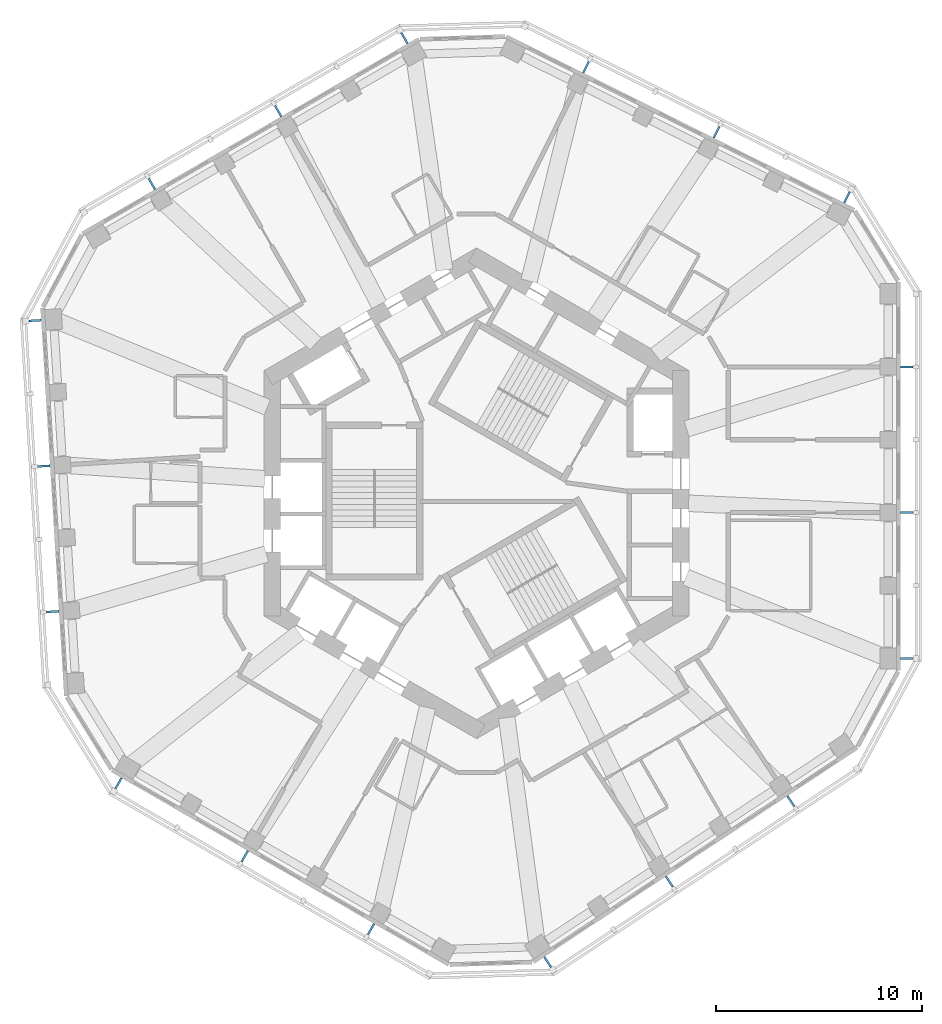
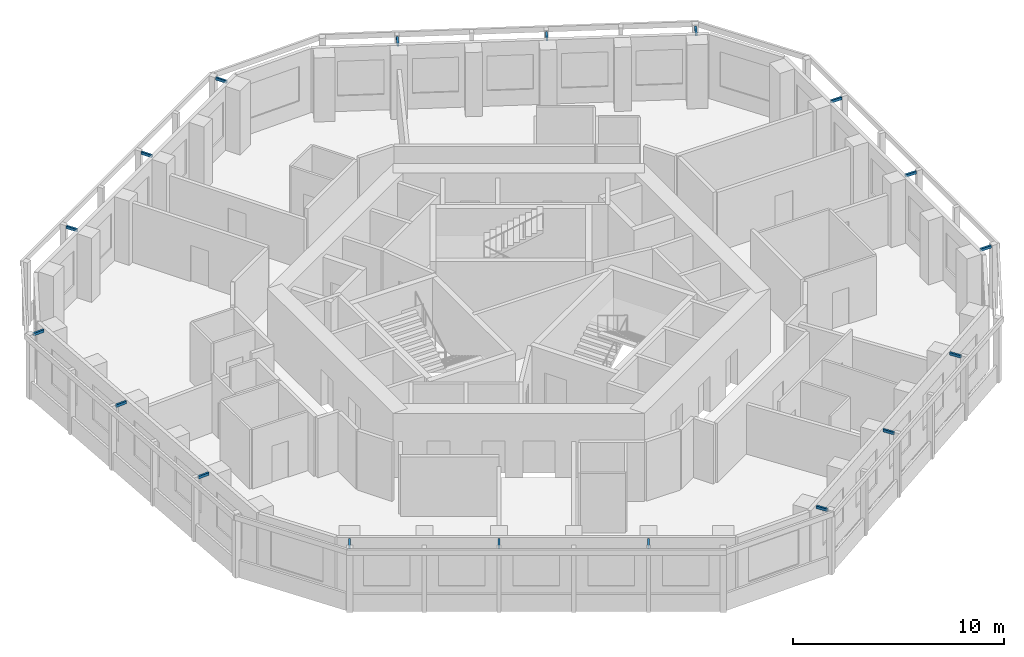
# One storey, part 10 of 11: 18 discrete accessories.
"""IFC4 building model written with IfcOpenShell, lengths in metres."""

from ifc_helpers import new_model, si_unit, direction, frame, origin, origin_2d, place, context, subcontext, project, spatial, rectangle, extrude, material, type_object, element, save


model = new_model("IFC4")

# Units and contexts
model_context = context("Model", 3, precision=1e-05, world=origin(), true_north=direction((0.0, 1.0)))
body_context = subcontext(model_context, "Body", "Model", "MODEL_VIEW")
ifc_project = project(units=[si_unit("LENGTHUNIT", "METRE"), si_unit("AREAUNIT", "SQUARE_METRE"), si_unit("VOLUMEUNIT", "CUBIC_METRE"), si_unit("PLANEANGLEUNIT", "RADIAN"), si_unit("MASSUNIT", "GRAM", prefix="KILO")], contexts=[model_context])

# Site, building, storey
site_placement = place(None, origin())
site = spatial("IfcSite", under=ifc_project, at=site_placement, CompositionType="ELEMENT")
building_placement = place(site_placement, origin())
building = spatial("IfcBuilding", under=site, at=building_placement, Name="Vanh Sen Convention Tower", CompositionType="ELEMENT")
storey_placement = place(building_placement, frame((0.0, 0.0, 243.89990234375)))
storey = spatial("IfcBuildingStorey", under=building, at=storey_placement, Name="L60", CompositionType="ELEMENT", Elevation=243.89990234375)

# Discrete accessories
ifc_material = material(Name="Steel S355", Category="steel")
discrete_accessory_type = type_object("IfcDiscreteAccessoryType", Name="Fin bracket 100 x 150", PredefinedType="BRACKET", material=ifc_material)
for number, where, z_axis, x_axis, name in (
    (1, (20.85009765625, -8.002685546875, 3.500244140625), (0.0, 0.0, 1.0), (1.0, 0.0, 0.0), "Fin bracket E-1 L60"),
    (2, (20.85009765625, -0.935546875, 3.500244140625), (0.0, 0.0, 1.0), (1.0, 0.0, 0.0), "Fin bracket E-3 L60"),
    (3, (20.85009765625, 6.131591796875, 3.500244140625), (0.0, 0.0, 1.0), (1.0, 0.0, 0.0), "Fin bracket E-5 L60"),
    (4, (17.953125, 14.3466796875, 3.500244140625), (0.0, 0.0, 1.0), (0.44619781311, 0.894934361602, 0.0), "Fin bracket NE-1 L60"),
    (5, (11.62841796875, 17.5, 3.500244140625), (0.0, 0.0, 1.0), (0.44619781311, 0.894934361602, 0.0), "Fin bracket NE-3 L60"),
    (6, (5.3037109375, 20.653564453125, 3.500244140625), (0.0, 0.0, 1.0), (0.44619781311, 0.894934361602, 0.0), "Fin bracket NE-5 L60"),
    (7, (-3.494384765625, 22.05810546875, 3.500244140625), (0.0, 0.0, 1.0), (-0.5, 0.866025403784, 0.0), "Fin bracket NW-1 L60"),
    (8, (-9.61474609375, 18.5244140625, 3.500244140625), (0.0, 0.0, 1.0), (-0.5, 0.866025403784, 0.0), "Fin bracket NW-3 L60"),
    (9, (-15.735107421875, 14.99072265625, 3.500244140625), (0.0, 0.0, 1.0), (-0.5, 0.866025403784, 0.0), "Fin bracket NW-5 L60"),
    (10, (-21.401123046875, 8.37451171875, 3.500244140625), (0.0, 0.0, 1.0), (-0.998134798422, -0.061048539535, 0.0), "Fin bracket W-1 L60"),
    (11, (-20.9697265625, 1.3203125, 3.500244140625), (0.0, 0.0, 1.0), (-0.998134798422, -0.061048539535, 0.0), "Fin bracket W-3 L60"),
    (12, (-20.538330078125, -5.733642578125, 3.500244140625), (0.0, 0.0, 1.0), (-0.998134798422, -0.061048539535, 0.0), "Fin bracket W-5 L60"),
    (13, (-17.355712890625, -14.05517578125, 3.500244140625), (0.0, 0.0, 1.0), (-0.5, -0.866025403784, 0.0), "Fin bracket SW-1 L60"),
    (14, (-11.235107421875, -17.5888671875, 3.500244140625), (0.0, 0.0, 1.0), (-0.5, -0.866025403784, 0.0), "Fin bracket SW-3 L60"),
    (15, (-5.11474609375, -21.12255859375, 3.500244140625), (0.0, 0.0, 1.0), (-0.5, -0.866025403784, 0.0), "Fin bracket SW-5 L60"),
    (16, (3.447998046875, -22.72119140625, 3.500244140625), (0.0, 0.0, 1.0), (0.551936985312, -0.833885822067, 0.0), "Fin bracket SE-1 L60"),
    (17, (9.34130859375, -18.820556640625, 3.500244140625), (0.0, 0.0, 1.0), (0.551936985312, -0.833885822067, 0.0), "Fin bracket SE-3 L60"),
    (18, (15.234619140625, -14.919921875, 3.500244140625), (0.0, 0.0, 1.0), (0.551936985312, -0.833885822067, 0.0), "Fin bracket SE-5 L60"),
):
    element("IfcDiscreteAccessory", number, at=place(storey_placement, frame(where, z_axis=z_axis, x_axis=x_axis)), inside=storey, type_object=discrete_accessory_type, Name=name, PredefinedType="BRACKET", context=body_context, shape_type="SweptSolid", body=[
        extrude(rectangle(XDim=0.60009765625, YDim=0.10009765625, at=origin_2d()), origin(), (0.0, 0.0, 1.0), 0.14990234375),
    ])

save(model, "model.ifc")
